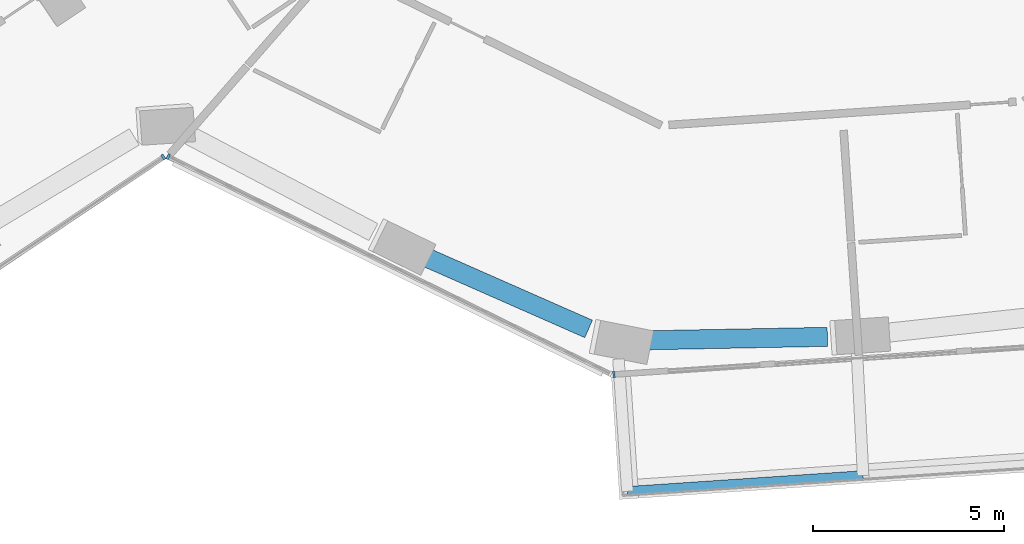
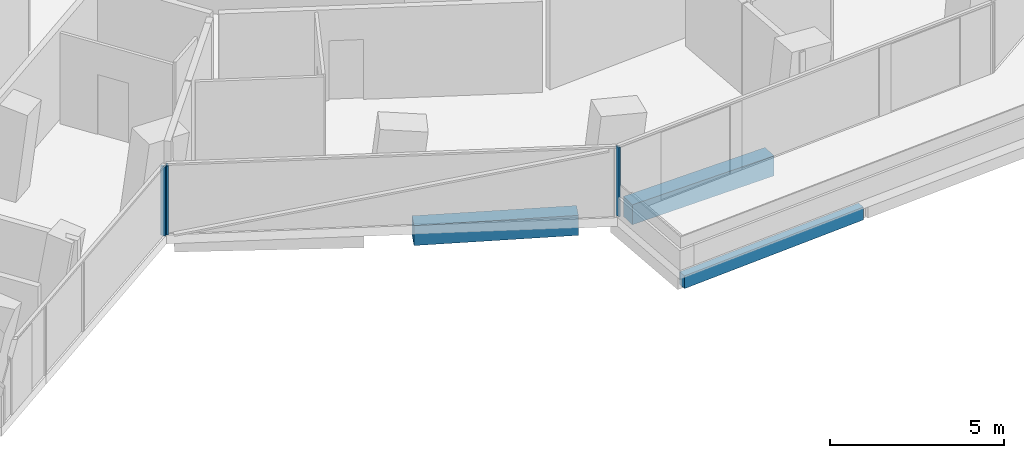
# One storey, part 3 of 25: 3 beams, 3 members, 3 elements without a shape of their own.
"""IFC4 building model written with IfcOpenShell, lengths in metres."""

from ifc_helpers import new_model, si_unit, direction, frame, origin, origin_2d, place, context, subcontext, project, spatial, rectangle, extrude, material, layer, layer_set, material_profile, profile_set, type_object, element, aggregate, save


model = new_model("IFC4")

# Units and contexts
model_context = context("Model", 3, precision=1e-05, world=origin(), true_north=direction((0.0, 1.0)))
body_context = subcontext(model_context, "Body", "Model", "MODEL_VIEW")
ifc_project = project(units=[si_unit("LENGTHUNIT", "METRE"), si_unit("AREAUNIT", "SQUARE_METRE"), si_unit("VOLUMEUNIT", "CUBIC_METRE"), si_unit("PLANEANGLEUNIT", "RADIAN"), si_unit("MASSUNIT", "GRAM", prefix="KILO")], contexts=[model_context])

# Site, building, storey
site_placement = place(None, origin())
site = spatial("IfcSite", under=ifc_project, at=site_placement, CompositionType="ELEMENT")
building_placement = place(site_placement, origin())
building = spatial("IfcBuilding", under=site, at=building_placement, Name="Verdalira Terraces Hotel", CompositionType="ELEMENT")
storey_placement = place(building_placement, frame((0.0, 0.0, 49.5)))
storey = spatial("IfcBuildingStorey", under=building, at=storey_placement, Name="L10", CompositionType="ELEMENT", Elevation=49.5)

# Beam
ifc_material_1 = material(Name="Concrete C40", Category="concrete")
ifc_material_profile_1 = material_profile(ifc_material_1, rectangle(XDim=0.25, YDim=0.449951, at=origin_2d()), Name="RC 250X450")
ifc_profile_set_1 = profile_set([ifc_material_profile_1], Name="Concrete C40")
beam_type_1 = type_object("IfcBeamType", Name="Balcony edge beam RC 250X450 C40", PredefinedType="BEAM", material=ifc_profile_set_1)
beam_1_placement = place(storey_placement, frame((-4.445801, -27.618164, -0.534912), z_axis=(0.997754332, 0.066979792, 0.0), x_axis=(-0.066979792, 0.997754332, 0.0)))
element("IfcBeam", 1, at=beam_1_placement, inside=storey, type_object=beam_type_1, Name="Balcony edge beam R26-1", PredefinedType="BEAM", context=body_context, shape_type="SweptSolid", body=[
    extrude(rectangle(XDim=0.25, YDim=0.449951, at=origin_2d()), origin(), (0.0, 0.0, 1.0), 6.189209),
])

# Curtain wall, member
ifc_material_2 = material(Name="Clear glass", Category="glass")
ifc_layer_1 = layer(ifc_material_2, 0.14990234375)
ifc_layer_set_1 = layer_set([ifc_layer_1], Name="CW1 curtain wall")
curtain_wall_type_1 = type_object("IfcCurtainWallType", Name="CW1 curtain wall", PredefinedType="NOTDEFINED", material=ifc_layer_set_1)
curtain_wall_1_placement = place(storey_placement, origin())
curtain_wall_1 = element("IfcCurtainWall", 2, at=curtain_wall_1_placement, inside=storey, type_object=curtain_wall_type_1, Name="CW1 curtain wall L10 edge 25", PredefinedType="NOTDEFINED")
ifc_material_3 = material(Name="Terracotta frame", Category="masonry")
ifc_material_profile_2 = material_profile(ifc_material_3, rectangle(XDim=0.060059, YDim=0.149902, at=origin_2d()), Name="MU 60x150")
ifc_profile_set_2 = profile_set([ifc_material_profile_2], Name="Terracotta frame")
member_type_1 = type_object("IfcMemberType", Name="CW1 mullion 60x150", PredefinedType="MULLION", material=ifc_profile_set_2)
member_1_placement = place(storey_placement, frame((-16.469238, -18.85376, 0.0), z_axis=(0.0, 0.0, 1.0), x_axis=(0.89756638, -0.440879341, 0.0)))
member_1 = element("IfcMember", 3, at=member_1_placement, type_object=member_type_1, Name="CW1 mullion", PredefinedType="MULLION", context=body_context, shape_type="SweptSolid", body=[
    extrude(rectangle(XDim=0.060059, YDim=0.149902, at=origin_2d()), origin(), (0.0, 0.0, 1.0), 2.425049),
])
aggregate(curtain_wall_1, [member_1])

curtain_wall_2_placement = place(storey_placement, origin())
curtain_wall_2 = element("IfcCurtainWall", 4, at=curtain_wall_2_placement, inside=storey, type_object=curtain_wall_type_1, Name="CW1 curtain wall L10 edge 26", PredefinedType="NOTDEFINED")
member_2_placement = place(storey_placement, frame((-4.795898, -24.55957, 0.0), z_axis=(0.0, 0.0, 1.0), x_axis=(0.997754957, 0.066970481, 0.0)))
member_2 = element("IfcMember", 5, at=member_2_placement, type_object=member_type_1, Name="CW1 mullion", PredefinedType="MULLION", context=body_context, shape_type="SweptSolid", body=[
    extrude(rectangle(XDim=0.060059, YDim=0.149902, at=origin_2d()), origin(), (0.0, 0.0, 1.0), 2.425049),
])
aggregate(curtain_wall_2, [member_2])

ifc_material_4 = material(Name="Clear glass", Category="glass")
ifc_layer_2 = layer(ifc_material_4, 0.14990234375)
ifc_layer_set_2 = layer_set([ifc_layer_2], Name="CW2 curtain wall")
curtain_wall_type_2 = type_object("IfcCurtainWallType", Name="CW2 curtain wall", PredefinedType="NOTDEFINED", material=ifc_layer_set_2)
curtain_wall_3_placement = place(storey_placement, origin())
curtain_wall_3 = element("IfcCurtainWall", 6, at=curtain_wall_3_placement, inside=storey, type_object=curtain_wall_type_2, Name="CW2 curtain wall L10 edge 24", PredefinedType="NOTDEFINED")
ifc_material_5 = material(Name="Terracotta frame", Category="masonry")
ifc_material_profile_3 = material_profile(ifc_material_5, rectangle(XDim=0.070068, YDim=0.149902, at=origin_2d()), Name="MU 70x150")
ifc_profile_set_3 = profile_set([ifc_material_profile_3], Name="Terracotta frame")
member_type_2 = type_object("IfcMemberType", Name="CW2 mullion 70x150", PredefinedType="MULLION", material=ifc_profile_set_3)
member_3_placement = place(storey_placement, frame((-16.600098, -18.86499, 0.0), z_axis=(0.0, 0.0, 1.0), x_axis=(0.830595899, 0.556875616, 0.0)))
member_3 = element("IfcMember", 7, at=member_3_placement, type_object=member_type_2, Name="CW2 mullion", PredefinedType="MULLION", context=body_context, shape_type="SweptSolid", body=[
    extrude(rectangle(XDim=0.070068, YDim=0.149902, at=origin_2d()), origin(), (0.0, 0.0, 1.0), 2.425049),
])
aggregate(curtain_wall_3, [member_3])

# Beams
ifc_material_6 = material(Name="Concrete C70", Category="concrete")
ifc_material_profile_4 = material_profile(ifc_material_6, rectangle(XDim=0.5, YDim=0.699951, at=origin_2d()), Name="RC 500X700")
ifc_profile_set_4 = profile_set([ifc_material_profile_4], Name="Concrete C70")
beam_type_2 = type_object("IfcBeamType", Name="Spandrel beam RC 500X700 C70", PredefinedType="SPANDREL", material=ifc_profile_set_4)
beam_2_placement = place(storey_placement, frame((-9.811523, -21.448975, -0.659912), z_axis=(0.915125677, -0.403168693, 0.0), x_axis=(0.403168693, 0.915125677, 0.0)))
element("IfcBeam", 8, at=beam_2_placement, inside=storey, type_object=beam_type_2, Name="Spandrel beam B20", PredefinedType="SPANDREL", context=body_context, shape_type="SweptSolid", body=[
    extrude(rectangle(XDim=0.5, YDim=0.699951, at=origin_2d()), origin(), (0.0, 0.0, 1.0), 4.755371),
])
beam_3_placement = place(storey_placement, frame((-3.965088, -23.664307, -0.659912), z_axis=(0.9998169, 0.019135497, 0.0), x_axis=(-0.019135497, 0.9998169, 0.0)))
element("IfcBeam", 9, at=beam_3_placement, inside=storey, type_object=beam_type_2, Name="Spandrel beam B21", PredefinedType="SPANDREL", context=body_context, shape_type="SweptSolid", body=[
    extrude(rectangle(XDim=0.5, YDim=0.699951, at=origin_2d()), origin(), (0.0, 0.0, 1.0), 4.759033),
])

save(model, "model.ifc")
